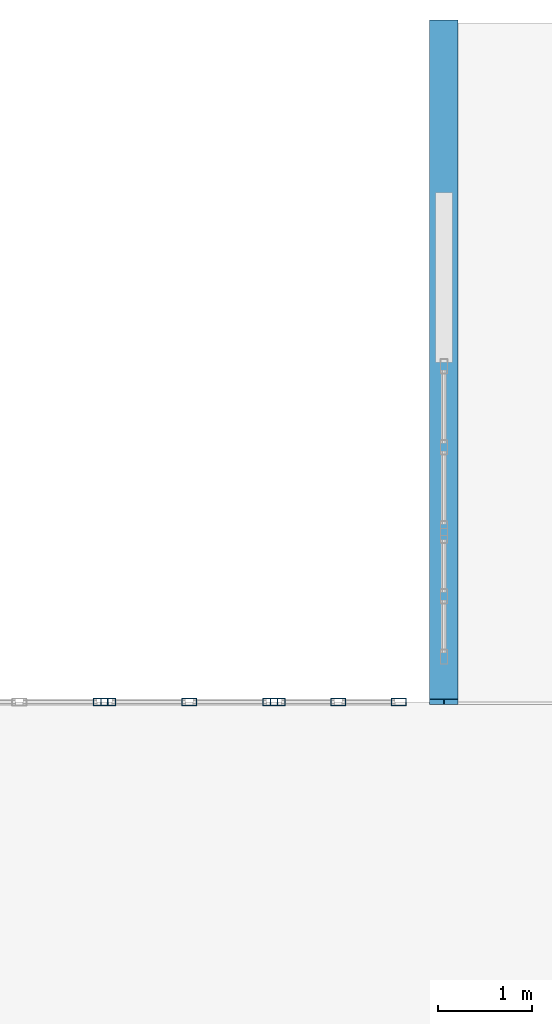
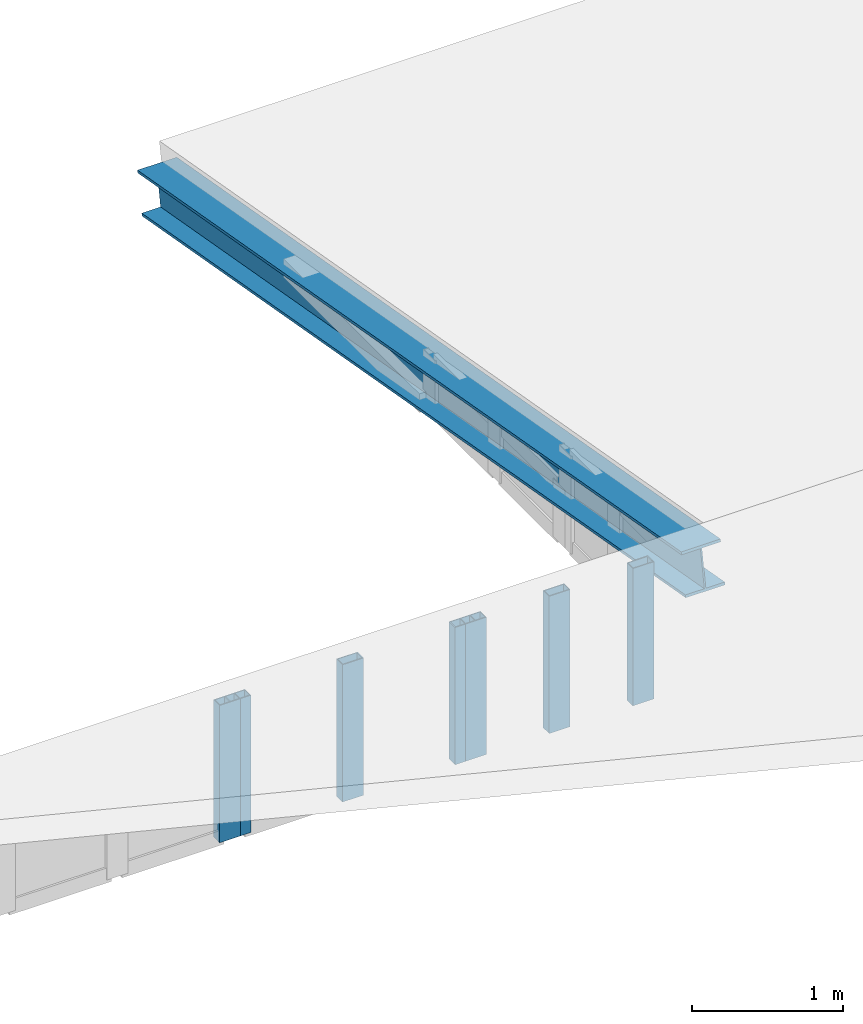
# One storey, part 15 of 39: 7 members, 1 beam, 3 elements without a shape of their own.
"""IFC4 building model written with IfcOpenShell, lengths in metres."""

from ifc_helpers import new_model, si_unit, direction, frame, origin, origin_2d, place, context, subcontext, project, spatial, hollow_rectangle, i_section, extrude, material, layer, layer_set, material_profile, profile_set, type_object, element, aggregate, save


model = new_model("IFC4")

# Units and contexts
model_context = context("Model", 3, precision=1e-05, world=origin(), true_north=direction((0.0, 1.0)))
body_context = subcontext(model_context, "Body", "Model", "MODEL_VIEW")
ifc_project = project(units=[si_unit("LENGTHUNIT", "METRE"), si_unit("AREAUNIT", "SQUARE_METRE"), si_unit("VOLUMEUNIT", "CUBIC_METRE"), si_unit("PLANEANGLEUNIT", "RADIAN"), si_unit("MASSUNIT", "GRAM", prefix="KILO"), si_unit("THERMODYNAMICTEMPERATUREUNIT", "KELVIN"), si_unit("POWERUNIT", "WATT")], contexts=[model_context])

# Site, building, storey
site_placement = place(None, origin())
site = spatial("IfcSite", under=ifc_project, at=site_placement, CompositionType="ELEMENT")
building_placement = place(site_placement, origin())
building = spatial("IfcBuilding", under=site, at=building_placement, Name="Kaldorven Railside Theatre", CompositionType="ELEMENT")
storey_placement = place(building_placement, frame((0.0, 0.0, 27.300048828125)))
storey = spatial("IfcBuildingStorey", under=building, at=storey_placement, Name="ROOF", CompositionType="ELEMENT", Elevation=27.300048828125)

# Beam
ifc_material_1 = material(Name="Steel S355", Category="steel")
ifc_material_profile_1 = material_profile(ifc_material_1, i_section(OverallWidth=0.300048828125, OverallDepth=0.340087890625, WebThickness=0.011962890625, FlangeThickness=0.021484375, at=origin_2d()), Name="HEB 340")
ifc_profile_set_1 = profile_set([ifc_material_profile_1], Name="Steel S355")
beam_type = type_object("IfcBeamType", Name="BM-HEB340", PredefinedType="SPANDREL", material=ifc_profile_set_1)
beam_placement = place(storey_placement, frame((123.199951171875, 134.39990234375, 0.911376953125), z_axis=(0.0, 0.984562635633, -0.175032615578), x_axis=(-1.0, 0.0, 0.0)))
element("IfcBeam", 1, at=beam_placement, inside=storey, type_object=beam_type, Name="Backstage Monsoon Roof Rafter RAF-174", PredefinedType="SPANDREL", context=body_context, shape_type="SweptSolid", body=[
    extrude(i_section(OverallWidth=0.300048828125, OverallDepth=0.340087890625, WebThickness=0.011962890625, FlangeThickness=0.021484375, at=origin_2d()), origin(), (0.0, 0.0, 1.0), 7.31298828125),
])

# Curtain wall, member
ifc_material_2 = material(Name="Low-E laminated solar-control glass", Category="glass")
ifc_layer_1 = layer(ifc_material_2, 0.159912109375, Name="Low-E laminated solar-control glass")
ifc_layer_set_1 = layer_set([ifc_layer_1], Name="Low-E laminated solar-control glass")
curtain_wall_type_1 = type_object("IfcCurtainWallType", Name="CWT-83", PredefinedType="USERDEFINED", material=ifc_layer_set_1)
curtain_wall_1_placement = place(storey_placement, origin())
curtain_wall_1 = element("IfcCurtainWall", 2, at=curtain_wall_1_placement, inside=storey, type_object=curtain_wall_type_1, Name="Backstage Link North Clerestory CWG-207", ObjectType="FLUTED GLAZING", PredefinedType="USERDEFINED")
ifc_material_3 = material(Name="Anodised bronze aluminium", Category="aluminium")
ifc_material_profile_2 = material_profile(ifc_material_3, hollow_rectangle(XDim=0.080078125, YDim=0.159912109375, WallThickness=0.00634765625, at=origin_2d()), Name="RHS 160x80x6.3")
ifc_profile_set_2 = profile_set([ifc_material_profile_2], Name="Anodised bronze aluminium")
member_type = type_object("IfcMemberType", Name="CWM-160", PredefinedType="MULLION", material=ifc_profile_set_2)
member_1_placement = place(storey_placement, frame((119.56005859375, 134.39990234375, 0.02001953125), z_axis=(0.0, 0.0, 1.0), x_axis=(0.0, 1.0, 0.0)))
member_1 = element("IfcMember", 3, at=member_1_placement, type_object=member_type, Name="CWG-207 mullion 3", PredefinedType="MULLION", context=body_context, shape_type="SweptSolid", body=[
    extrude(hollow_rectangle(XDim=0.080078125, YDim=0.159912109375, WallThickness=0.00634765625, at=origin_2d()), origin(), (0.0, 0.0, 1.0), 1.10986328125),
])
aggregate(curtain_wall_1, [member_1])

# Curtain wall, members
curtain_wall_2_placement = place(storey_placement, origin())
curtain_wall_2 = element("IfcCurtainWall", 4, at=curtain_wall_2_placement, inside=storey, type_object=curtain_wall_type_1, Name="Backstage Link North Clerestory CWG-208", ObjectType="FLUTED GLAZING", PredefinedType="USERDEFINED")
member_2_placement = place(storey_placement, frame((119.639892578125, 134.39990234375, 0.02001953125), z_axis=(0.0, 0.0, 1.0), x_axis=(0.0, 1.0, 0.0)))
member_2 = element("IfcMember", 5, at=member_2_placement, type_object=member_type, Name="CWG-208 mullion 1", PredefinedType="MULLION", context=body_context, shape_type="SweptSolid", body=[
    extrude(hollow_rectangle(XDim=0.080078125, YDim=0.159912109375, WallThickness=0.00634765625, at=origin_2d()), origin(), (0.0, 0.0, 1.0), 1.10986328125),
])
member_3_placement = place(storey_placement, frame((120.5, 134.39990234375, 0.02001953125), z_axis=(0.0, 0.0, 1.0), x_axis=(0.0, 1.0, 0.0)))
member_3 = element("IfcMember", 6, at=member_3_placement, type_object=member_type, Name="CWG-208 mullion 2", PredefinedType="MULLION", context=body_context, shape_type="SweptSolid", body=[
    extrude(hollow_rectangle(XDim=0.080078125, YDim=0.159912109375, WallThickness=0.00634765625, at=origin_2d()), origin(), (0.0, 0.0, 1.0), 1.10986328125),
])
member_4_placement = place(storey_placement, frame((121.360107421875, 134.39990234375, 0.02001953125), z_axis=(0.0, 0.0, 1.0), x_axis=(0.0, 1.0, 0.0)))
member_4 = element("IfcMember", 7, at=member_4_placement, type_object=member_type, Name="CWG-208 mullion 3", PredefinedType="MULLION", context=body_context, shape_type="SweptSolid", body=[
    extrude(hollow_rectangle(XDim=0.080078125, YDim=0.159912109375, WallThickness=0.00634765625, at=origin_2d()), origin(), (0.0, 0.0, 1.0), 1.10986328125),
])
aggregate(curtain_wall_2, [member_2, member_3, member_4])

ifc_layer_2 = layer(ifc_material_2, 0.159912109375, Name="Low-E laminated solar-control glass")
ifc_layer_set_2 = layer_set([ifc_layer_2], Name="Low-E laminated solar-control glass")
curtain_wall_type_2 = type_object("IfcCurtainWallType", Name="CWT-82", PredefinedType="USERDEFINED", material=ifc_layer_set_2)
curtain_wall_3_placement = place(storey_placement, origin())
curtain_wall_3 = element("IfcCurtainWall", 8, at=curtain_wall_3_placement, inside=storey, type_object=curtain_wall_type_2, Name="Backstage Link North Clerestory CWG-209", ObjectType="FLUTED GLAZING", PredefinedType="USERDEFINED")
member_5_placement = place(storey_placement, frame((121.43994140625, 134.39990234375, 0.02001953125), z_axis=(0.0, 0.0, 1.0), x_axis=(0.0, 1.0, 0.0)))
member_5 = element("IfcMember", 9, at=member_5_placement, type_object=member_type, Name="CWG-209 mullion 1", PredefinedType="MULLION", context=body_context, shape_type="SweptSolid", body=[
    extrude(hollow_rectangle(XDim=0.080078125, YDim=0.159912109375, WallThickness=0.00634765625, at=origin_2d()), origin(), (0.0, 0.0, 1.0), 1.10986328125),
])
member_6_placement = place(storey_placement, frame((122.080078125, 134.39990234375, 0.02001953125), z_axis=(0.0, 0.0, 1.0), x_axis=(0.0, 1.0, 0.0)))
member_6 = element("IfcMember", 10, at=member_6_placement, type_object=member_type, Name="CWG-209 mullion 2", PredefinedType="MULLION", context=body_context, shape_type="SweptSolid", body=[
    extrude(hollow_rectangle(XDim=0.080078125, YDim=0.159912109375, WallThickness=0.00634765625, at=origin_2d()), origin(), (0.0, 0.0, 1.0), 1.10986328125),
])
member_7_placement = place(storey_placement, frame((122.719970703125, 134.39990234375, 0.02001953125), z_axis=(0.0, 0.0, 1.0), x_axis=(0.0, 1.0, 0.0)))
member_7 = element("IfcMember", 11, at=member_7_placement, type_object=member_type, Name="CWG-209 mullion 3", PredefinedType="MULLION", context=body_context, shape_type="SweptSolid", body=[
    extrude(hollow_rectangle(XDim=0.080078125, YDim=0.159912109375, WallThickness=0.00634765625, at=origin_2d()), origin(), (0.0, 0.0, 1.0), 1.10986328125),
])
aggregate(curtain_wall_3, [member_5, member_6, member_7])

save(model, "model.ifc")
